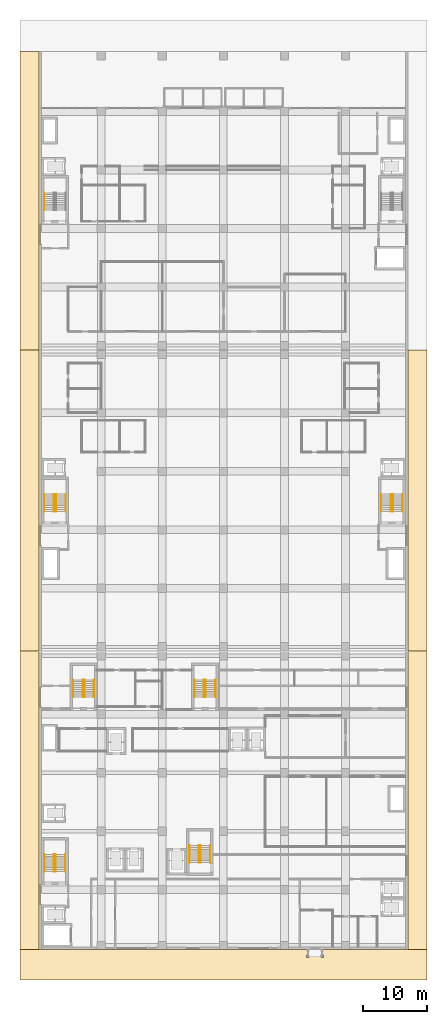
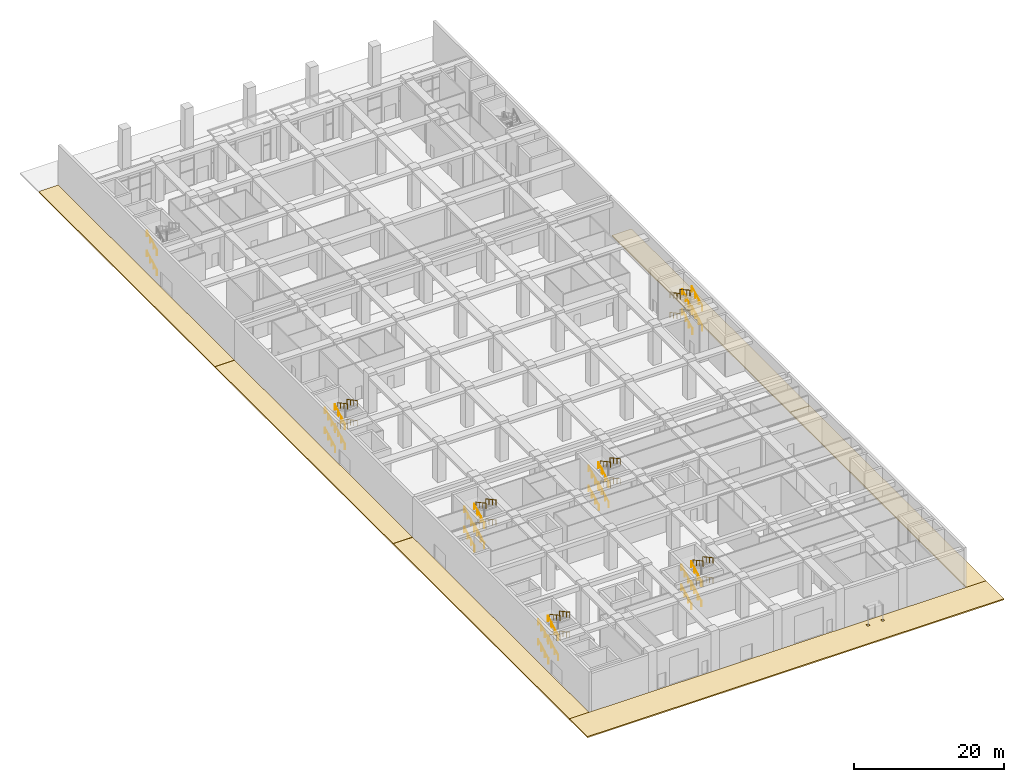
# One storey, part 30 of 45: 50 railings, 6 coverings.
"""IFC4 building model written with IfcOpenShell, lengths in metres."""

from ifc_helpers import new_model, si_unit, direction, frame, origin, origin_2d, place, context, subcontext, project, spatial, polyline, circle, outline, extrude, material, layer, layer_set, type_object, element, save


model = new_model("IFC4")

# Units and contexts
model_context = context("Model", 3, precision=1e-05, world=origin(), true_north=direction((0.0, 1.0)))
body_context = subcontext(model_context, "Body", "Model", "MODEL_VIEW")
ifc_project = project(units=[si_unit("LENGTHUNIT", "METRE"), si_unit("AREAUNIT", "SQUARE_METRE"), si_unit("VOLUMEUNIT", "CUBIC_METRE"), si_unit("PLANEANGLEUNIT", "RADIAN"), si_unit("MASSUNIT", "GRAM", prefix="KILO")], contexts=[model_context])

# Site, building, storey
site_placement = place(None, origin())
site = spatial("IfcSite", under=ifc_project, at=site_placement, CompositionType="ELEMENT")
building_placement = place(site_placement, origin())
building = spatial("IfcBuilding", under=site, at=building_placement, Name="Nzadi Deep Aquarium and Research Tower", CompositionType="ELEMENT")
storey_placement = place(building_placement, origin())
storey = spatial("IfcBuildingStorey", under=building, at=storey_placement, Name="G", CompositionType="ELEMENT", Elevation=0.0)

# Railings
ifc_material_1 = material(Name="Stainless steel 1.4301", Category="steel")
railing_type = type_object("IfcRailingType", Name="HANDRAIL 900", PredefinedType="HANDRAIL", material=ifc_material_1)
for number, where, name in (
    (1, (0.659912109375, 12.070068359375, 0.16259765625), "HR-ST-Z1-SW-G-F1"),
    (2, (2.1650390625, 12.070068359375, 0.16259765625), "HR-ST-Z1-SW-G-F1W"),
):
    element("IfcRailing", number, at=place(storey_placement, frame(where)), inside=storey, type_object=railing_type, Name=name, PredefinedType="HANDRAIL", context=body_context, shape_type="SweptSolid", body=[
        extrude(circle(Radius=0.02392578125, at=origin_2d()), frame((0.0, 0.0, 0.8759765625), z_axis=(0.0, 0.87930167832, 0.476265218658), x_axis=(-1.0, 0.0, 0.0)), (0.0, 0.0, 1.0), 3.070556640625),
        extrude(circle(Radius=0.02099609375, at=origin_2d()), origin(), (0.0, 0.0, 1.0), 0.851806640625),
        extrude(circle(Radius=0.02099609375, at=origin_2d()), frame((0.0, 0.89990234375, 0.487548828125)), (0.0, 0.0, 1.0), 0.851806640625),
        extrude(circle(Radius=0.02099609375, at=origin_2d()), frame((0.0, 1.800048828125, 0.974853515625)), (0.0, 0.0, 1.0), 0.851806640625),
        extrude(circle(Radius=0.02099609375, at=origin_2d()), frame((0.0, 2.699951171875, 1.46240234375)), (0.0, 0.0, 1.0), 0.851806640625),
    ])
for number, where, name in (
    (3, (3.93994140625, 14.77001953125, 1.78759765625), "HR-ST-Z1-SW-G-F2"),
    (4, (2.43505859375, 14.77001953125, 1.78759765625), "HR-ST-Z1-SW-G-F2W"),
):
    element("IfcRailing", number, at=place(storey_placement, frame(where)), inside=storey, type_object=railing_type, Name=name, PredefinedType="HANDRAIL", context=body_context, shape_type="SweptSolid", body=[
        extrude(circle(Radius=0.02392578125, at=origin_2d()), frame((0.0, 0.0, 0.8759765625), z_axis=(0.0, -0.87930167832, 0.476265218658), x_axis=(1.0, 0.0, 0.0)), (0.0, 0.0, 1.0), 3.070556640625),
        extrude(circle(Radius=0.02099609375, at=origin_2d()), origin(), (0.0, 0.0, 1.0), 0.851806640625),
        extrude(circle(Radius=0.02099609375, at=origin_2d()), frame((0.0, -0.89990234375, 0.487548828125)), (0.0, 0.0, 1.0), 0.851806640625),
        extrude(circle(Radius=0.02099609375, at=origin_2d()), frame((0.0, -1.800048828125, 0.974853515625)), (0.0, 0.0, 1.0), 0.851806640625),
        extrude(circle(Radius=0.02099609375, at=origin_2d()), frame((0.0, -2.699951171875, 1.46240234375)), (0.0, 0.0, 1.0), 0.851806640625),
    ])
for number, where, name in (
    (5, (0.659912109375, 12.070068359375, 3.41259765625), "HR-ST-Z1-SW-G-F3"),
    (6, (2.1650390625, 12.070068359375, 3.41259765625), "HR-ST-Z1-SW-G-F3W"),
):
    element("IfcRailing", number, at=place(storey_placement, frame(where)), inside=storey, type_object=railing_type, Name=name, PredefinedType="HANDRAIL", context=body_context, shape_type="SweptSolid", body=[
        extrude(circle(Radius=0.02392578125, at=origin_2d()), frame((0.0, 0.0, 0.8759765625), z_axis=(0.0, 0.87930167832, 0.476265218658), x_axis=(-1.0, 0.0, 0.0)), (0.0, 0.0, 1.0), 3.070556640625),
        extrude(circle(Radius=0.02099609375, at=origin_2d()), origin(), (0.0, 0.0, 1.0), 0.851806640625),
        extrude(circle(Radius=0.02099609375, at=origin_2d()), frame((0.0, 0.89990234375, 0.487548828125)), (0.0, 0.0, 1.0), 0.851806640625),
        extrude(circle(Radius=0.02099609375, at=origin_2d()), frame((0.0, 1.800048828125, 0.974853515625)), (0.0, 0.0, 1.0), 0.851806640625),
        extrude(circle(Radius=0.02099609375, at=origin_2d()), frame((0.0, 2.699951171875, 1.46240234375)), (0.0, 0.0, 1.0), 0.851806640625),
    ])
for number, where, name in (
    (7, (3.93994140625, 14.77001953125, 5.03759765625), "HR-ST-Z1-SW-G-F4"),
    (8, (2.43505859375, 14.77001953125, 5.03759765625), "HR-ST-Z1-SW-G-F4W"),
):
    element("IfcRailing", number, at=place(storey_placement, frame(where)), inside=storey, type_object=railing_type, Name=name, PredefinedType="HANDRAIL", context=body_context, shape_type="SweptSolid", body=[
        extrude(circle(Radius=0.02392578125, at=origin_2d()), frame((0.0, 0.0, 0.8759765625), z_axis=(0.0, -0.87930167832, 0.476265218658), x_axis=(1.0, 0.0, 0.0)), (0.0, 0.0, 1.0), 3.070556640625),
        extrude(circle(Radius=0.02099609375, at=origin_2d()), origin(), (0.0, 0.0, 1.0), 0.851806640625),
        extrude(circle(Radius=0.02099609375, at=origin_2d()), frame((0.0, -0.89990234375, 0.487548828125)), (0.0, 0.0, 1.0), 0.851806640625),
        extrude(circle(Radius=0.02099609375, at=origin_2d()), frame((0.0, -1.800048828125, 0.974853515625)), (0.0, 0.0, 1.0), 0.851806640625),
        extrude(circle(Radius=0.02099609375, at=origin_2d()), frame((0.0, -2.699951171875, 1.46240234375)), (0.0, 0.0, 1.0), 0.851806640625),
    ])
for number, where, name in (
    (9, (23.4599609375, 13.469970703125, 0.16259765625), "HR-ST-Z1-SE-G-F1"),
    (10, (24.965087890625, 13.469970703125, 0.16259765625), "HR-ST-Z1-SE-G-F1W"),
):
    element("IfcRailing", number, at=place(storey_placement, frame(where)), inside=storey, type_object=railing_type, Name=name, PredefinedType="HANDRAIL", context=body_context, shape_type="SweptSolid", body=[
        extrude(circle(Radius=0.02392578125, at=origin_2d()), frame((0.0, 0.0, 0.8759765625), z_axis=(0.0, 0.87930167832, 0.476265218658), x_axis=(-1.0, 0.0, 0.0)), (0.0, 0.0, 1.0), 3.070556640625),
        extrude(circle(Radius=0.02099609375, at=origin_2d()), origin(), (0.0, 0.0, 1.0), 0.851806640625),
        extrude(circle(Radius=0.02099609375, at=origin_2d()), frame((0.0, 0.89990234375, 0.487548828125)), (0.0, 0.0, 1.0), 0.851806640625),
        extrude(circle(Radius=0.02099609375, at=origin_2d()), frame((0.0, 1.800048828125, 0.974853515625)), (0.0, 0.0, 1.0), 0.851806640625),
        extrude(circle(Radius=0.02099609375, at=origin_2d()), frame((0.0, 2.699951171875, 1.46240234375)), (0.0, 0.0, 1.0), 0.851806640625),
    ])
for number, where, name in (
    (11, (26.739990234375, 16.169921875, 1.78759765625), "HR-ST-Z1-SE-G-F2"),
    (12, (25.235107421875, 16.169921875, 1.78759765625), "HR-ST-Z1-SE-G-F2W"),
):
    element("IfcRailing", number, at=place(storey_placement, frame(where)), inside=storey, type_object=railing_type, Name=name, PredefinedType="HANDRAIL", context=body_context, shape_type="SweptSolid", body=[
        extrude(circle(Radius=0.02392578125, at=origin_2d()), frame((0.0, 0.0, 0.8759765625), z_axis=(0.0, -0.87930167832, 0.476265218658), x_axis=(1.0, 0.0, 0.0)), (0.0, 0.0, 1.0), 3.070556640625),
        extrude(circle(Radius=0.02099609375, at=origin_2d()), origin(), (0.0, 0.0, 1.0), 0.851806640625),
        extrude(circle(Radius=0.02099609375, at=origin_2d()), frame((0.0, -0.89990234375, 0.487548828125)), (0.0, 0.0, 1.0), 0.851806640625),
        extrude(circle(Radius=0.02099609375, at=origin_2d()), frame((0.0, -1.800048828125, 0.974853515625)), (0.0, 0.0, 1.0), 0.851806640625),
        extrude(circle(Radius=0.02099609375, at=origin_2d()), frame((0.0, -2.699951171875, 1.46240234375)), (0.0, 0.0, 1.0), 0.851806640625),
    ])
for number, where, name in (
    (13, (23.4599609375, 13.469970703125, 3.41259765625), "HR-ST-Z1-SE-G-F3"),
    (14, (24.965087890625, 13.469970703125, 3.41259765625), "HR-ST-Z1-SE-G-F3W"),
):
    element("IfcRailing", number, at=place(storey_placement, frame(where)), inside=storey, type_object=railing_type, Name=name, PredefinedType="HANDRAIL", context=body_context, shape_type="SweptSolid", body=[
        extrude(circle(Radius=0.02392578125, at=origin_2d()), frame((0.0, 0.0, 0.8759765625), z_axis=(0.0, 0.87930167832, 0.476265218658), x_axis=(-1.0, 0.0, 0.0)), (0.0, 0.0, 1.0), 3.070556640625),
        extrude(circle(Radius=0.02099609375, at=origin_2d()), origin(), (0.0, 0.0, 1.0), 0.851806640625),
        extrude(circle(Radius=0.02099609375, at=origin_2d()), frame((0.0, 0.89990234375, 0.487548828125)), (0.0, 0.0, 1.0), 0.851806640625),
        extrude(circle(Radius=0.02099609375, at=origin_2d()), frame((0.0, 1.800048828125, 0.974853515625)), (0.0, 0.0, 1.0), 0.851806640625),
        extrude(circle(Radius=0.02099609375, at=origin_2d()), frame((0.0, 2.699951171875, 1.46240234375)), (0.0, 0.0, 1.0), 0.851806640625),
    ])
for number, where, name in (
    (15, (26.739990234375, 16.169921875, 5.03759765625), "HR-ST-Z1-SE-G-F4"),
    (16, (25.235107421875, 16.169921875, 5.03759765625), "HR-ST-Z1-SE-G-F4W"),
):
    element("IfcRailing", number, at=place(storey_placement, frame(where)), inside=storey, type_object=railing_type, Name=name, PredefinedType="HANDRAIL", context=body_context, shape_type="SweptSolid", body=[
        extrude(circle(Radius=0.02392578125, at=origin_2d()), frame((0.0, 0.0, 0.8759765625), z_axis=(0.0, -0.87930167832, 0.476265218658), x_axis=(1.0, 0.0, 0.0)), (0.0, 0.0, 1.0), 3.070556640625),
        extrude(circle(Radius=0.02099609375, at=origin_2d()), origin(), (0.0, 0.0, 1.0), 0.851806640625),
        extrude(circle(Radius=0.02099609375, at=origin_2d()), frame((0.0, -0.89990234375, 0.487548828125)), (0.0, 0.0, 1.0), 0.851806640625),
        extrude(circle(Radius=0.02099609375, at=origin_2d()), frame((0.0, -1.800048828125, 0.974853515625)), (0.0, 0.0, 1.0), 0.851806640625),
        extrude(circle(Radius=0.02099609375, at=origin_2d()), frame((0.0, -2.699951171875, 1.46240234375)), (0.0, 0.0, 1.0), 0.851806640625),
    ])
for number, where, name in (
    (17, (5.159912109375, 39.52001953125, 0.16259765625), "HR-ST-Z1-NW-G-F1"),
    (18, (6.6650390625, 39.52001953125, 0.16259765625), "HR-ST-Z1-NW-G-F1W"),
):
    element("IfcRailing", number, at=place(storey_placement, frame(where)), inside=storey, type_object=railing_type, Name=name, PredefinedType="HANDRAIL", context=body_context, shape_type="SweptSolid", body=[
        extrude(circle(Radius=0.02392578125, at=origin_2d()), frame((0.0, 0.0, 0.8759765625), z_axis=(0.0, 0.87930167832, 0.476265218658), x_axis=(-1.0, 0.0, 0.0)), (0.0, 0.0, 1.0), 3.070556640625),
        extrude(circle(Radius=0.02099609375, at=origin_2d()), origin(), (0.0, 0.0, 1.0), 0.851806640625),
        extrude(circle(Radius=0.02099609375, at=origin_2d()), frame((0.0, 0.89990234375, 0.487548828125)), (0.0, 0.0, 1.0), 0.851806640625),
        extrude(circle(Radius=0.02099609375, at=origin_2d()), frame((0.0, 1.800048828125, 0.974853515625)), (0.0, 0.0, 1.0), 0.851806640625),
        extrude(circle(Radius=0.02099609375, at=origin_2d()), frame((0.0, 2.699951171875, 1.46240234375)), (0.0, 0.0, 1.0), 0.851806640625),
    ])
for number, where, name in (
    (19, (8.43994140625, 42.219970703125, 1.78759765625), "HR-ST-Z1-NW-G-F2"),
    (20, (6.93505859375, 42.219970703125, 1.78759765625), "HR-ST-Z1-NW-G-F2W"),
):
    element("IfcRailing", number, at=place(storey_placement, frame(where)), inside=storey, type_object=railing_type, Name=name, PredefinedType="HANDRAIL", context=body_context, shape_type="SweptSolid", body=[
        extrude(circle(Radius=0.02392578125, at=origin_2d()), frame((0.0, 0.0, 0.8759765625), z_axis=(0.0, -0.87930167832, 0.476265218658), x_axis=(1.0, 0.0, 0.0)), (0.0, 0.0, 1.0), 3.070556640625),
        extrude(circle(Radius=0.02099609375, at=origin_2d()), origin(), (0.0, 0.0, 1.0), 0.851806640625),
        extrude(circle(Radius=0.02099609375, at=origin_2d()), frame((0.0, -0.89990234375, 0.487548828125)), (0.0, 0.0, 1.0), 0.851806640625),
        extrude(circle(Radius=0.02099609375, at=origin_2d()), frame((0.0, -1.800048828125, 0.974853515625)), (0.0, 0.0, 1.0), 0.851806640625),
        extrude(circle(Radius=0.02099609375, at=origin_2d()), frame((0.0, -2.699951171875, 1.46240234375)), (0.0, 0.0, 1.0), 0.851806640625),
    ])
for number, where, name in (
    (21, (5.159912109375, 39.52001953125, 3.41259765625), "HR-ST-Z1-NW-G-F3"),
    (22, (6.6650390625, 39.52001953125, 3.41259765625), "HR-ST-Z1-NW-G-F3W"),
):
    element("IfcRailing", number, at=place(storey_placement, frame(where)), inside=storey, type_object=railing_type, Name=name, PredefinedType="HANDRAIL", context=body_context, shape_type="SweptSolid", body=[
        extrude(circle(Radius=0.02392578125, at=origin_2d()), frame((0.0, 0.0, 0.8759765625), z_axis=(0.0, 0.87930167832, 0.476265218658), x_axis=(-1.0, 0.0, 0.0)), (0.0, 0.0, 1.0), 3.070556640625),
        extrude(circle(Radius=0.02099609375, at=origin_2d()), origin(), (0.0, 0.0, 1.0), 0.851806640625),
        extrude(circle(Radius=0.02099609375, at=origin_2d()), frame((0.0, 0.89990234375, 0.487548828125)), (0.0, 0.0, 1.0), 0.851806640625),
        extrude(circle(Radius=0.02099609375, at=origin_2d()), frame((0.0, 1.800048828125, 0.974853515625)), (0.0, 0.0, 1.0), 0.851806640625),
        extrude(circle(Radius=0.02099609375, at=origin_2d()), frame((0.0, 2.699951171875, 1.46240234375)), (0.0, 0.0, 1.0), 0.851806640625),
    ])
for number, where, name in (
    (23, (8.43994140625, 42.219970703125, 5.03759765625), "HR-ST-Z1-NW-G-F4"),
    (24, (6.93505859375, 42.219970703125, 5.03759765625), "HR-ST-Z1-NW-G-F4W"),
):
    element("IfcRailing", number, at=place(storey_placement, frame(where)), inside=storey, type_object=railing_type, Name=name, PredefinedType="HANDRAIL", context=body_context, shape_type="SweptSolid", body=[
        extrude(circle(Radius=0.02392578125, at=origin_2d()), frame((0.0, 0.0, 0.8759765625), z_axis=(0.0, -0.87930167832, 0.476265218658), x_axis=(1.0, 0.0, 0.0)), (0.0, 0.0, 1.0), 3.070556640625),
        extrude(circle(Radius=0.02099609375, at=origin_2d()), origin(), (0.0, 0.0, 1.0), 0.851806640625),
        extrude(circle(Radius=0.02099609375, at=origin_2d()), frame((0.0, -0.89990234375, 0.487548828125)), (0.0, 0.0, 1.0), 0.851806640625),
        extrude(circle(Radius=0.02099609375, at=origin_2d()), frame((0.0, -1.800048828125, 0.974853515625)), (0.0, 0.0, 1.0), 0.851806640625),
        extrude(circle(Radius=0.02099609375, at=origin_2d()), frame((0.0, -2.699951171875, 1.46240234375)), (0.0, 0.0, 1.0), 0.851806640625),
    ])
for number, where, name in (
    (25, (24.260009765625, 39.52001953125, 0.16259765625), "HR-ST-Z1-NE-G-F1"),
    (26, (25.764892578125, 39.52001953125, 0.16259765625), "HR-ST-Z1-NE-G-F1W"),
):
    element("IfcRailing", number, at=place(storey_placement, frame(where)), inside=storey, type_object=railing_type, Name=name, PredefinedType="HANDRAIL", context=body_context, shape_type="SweptSolid", body=[
        extrude(circle(Radius=0.02392578125, at=origin_2d()), frame((0.0, 0.0, 0.8759765625), z_axis=(0.0, 0.87930167832, 0.476265218658), x_axis=(-1.0, 0.0, 0.0)), (0.0, 0.0, 1.0), 3.070556640625),
        extrude(circle(Radius=0.02099609375, at=origin_2d()), origin(), (0.0, 0.0, 1.0), 0.851806640625),
        extrude(circle(Radius=0.02099609375, at=origin_2d()), frame((0.0, 0.89990234375, 0.487548828125)), (0.0, 0.0, 1.0), 0.851806640625),
        extrude(circle(Radius=0.02099609375, at=origin_2d()), frame((0.0, 1.800048828125, 0.974853515625)), (0.0, 0.0, 1.0), 0.851806640625),
        extrude(circle(Radius=0.02099609375, at=origin_2d()), frame((0.0, 2.699951171875, 1.46240234375)), (0.0, 0.0, 1.0), 0.851806640625),
    ])
for number, where, name in (
    (27, (27.5400390625, 42.219970703125, 1.78759765625), "HR-ST-Z1-NE-G-F2"),
    (28, (26.034912109375, 42.219970703125, 1.78759765625), "HR-ST-Z1-NE-G-F2W"),
):
    element("IfcRailing", number, at=place(storey_placement, frame(where)), inside=storey, type_object=railing_type, Name=name, PredefinedType="HANDRAIL", context=body_context, shape_type="SweptSolid", body=[
        extrude(circle(Radius=0.02392578125, at=origin_2d()), frame((0.0, 0.0, 0.8759765625), z_axis=(0.0, -0.87930167832, 0.476265218658), x_axis=(1.0, 0.0, 0.0)), (0.0, 0.0, 1.0), 3.070556640625),
        extrude(circle(Radius=0.02099609375, at=origin_2d()), origin(), (0.0, 0.0, 1.0), 0.851806640625),
        extrude(circle(Radius=0.02099609375, at=origin_2d()), frame((0.0, -0.89990234375, 0.487548828125)), (0.0, 0.0, 1.0), 0.851806640625),
        extrude(circle(Radius=0.02099609375, at=origin_2d()), frame((0.0, -1.800048828125, 0.974853515625)), (0.0, 0.0, 1.0), 0.851806640625),
        extrude(circle(Radius=0.02099609375, at=origin_2d()), frame((0.0, -2.699951171875, 1.46240234375)), (0.0, 0.0, 1.0), 0.851806640625),
    ])
for number, where, name in (
    (29, (24.260009765625, 39.52001953125, 3.41259765625), "HR-ST-Z1-NE-G-F3"),
    (30, (25.764892578125, 39.52001953125, 3.41259765625), "HR-ST-Z1-NE-G-F3W"),
):
    element("IfcRailing", number, at=place(storey_placement, frame(where)), inside=storey, type_object=railing_type, Name=name, PredefinedType="HANDRAIL", context=body_context, shape_type="SweptSolid", body=[
        extrude(circle(Radius=0.02392578125, at=origin_2d()), frame((0.0, 0.0, 0.8759765625), z_axis=(0.0, 0.87930167832, 0.476265218658), x_axis=(-1.0, 0.0, 0.0)), (0.0, 0.0, 1.0), 3.070556640625),
        extrude(circle(Radius=0.02099609375, at=origin_2d()), origin(), (0.0, 0.0, 1.0), 0.851806640625),
        extrude(circle(Radius=0.02099609375, at=origin_2d()), frame((0.0, 0.89990234375, 0.487548828125)), (0.0, 0.0, 1.0), 0.851806640625),
        extrude(circle(Radius=0.02099609375, at=origin_2d()), frame((0.0, 1.800048828125, 0.974853515625)), (0.0, 0.0, 1.0), 0.851806640625),
        extrude(circle(Radius=0.02099609375, at=origin_2d()), frame((0.0, 2.699951171875, 1.46240234375)), (0.0, 0.0, 1.0), 0.851806640625),
    ])
for number, where, name in (
    (31, (27.5400390625, 42.219970703125, 5.03759765625), "HR-ST-Z1-NE-G-F4"),
    (32, (26.034912109375, 42.219970703125, 5.03759765625), "HR-ST-Z1-NE-G-F4W"),
):
    element("IfcRailing", number, at=place(storey_placement, frame(where)), inside=storey, type_object=railing_type, Name=name, PredefinedType="HANDRAIL", context=body_context, shape_type="SweptSolid", body=[
        extrude(circle(Radius=0.02392578125, at=origin_2d()), frame((0.0, 0.0, 0.8759765625), z_axis=(0.0, -0.87930167832, 0.476265218658), x_axis=(1.0, 0.0, 0.0)), (0.0, 0.0, 1.0), 3.070556640625),
        extrude(circle(Radius=0.02099609375, at=origin_2d()), origin(), (0.0, 0.0, 1.0), 0.851806640625),
        extrude(circle(Radius=0.02099609375, at=origin_2d()), frame((0.0, -0.89990234375, 0.487548828125)), (0.0, 0.0, 1.0), 0.851806640625),
        extrude(circle(Radius=0.02099609375, at=origin_2d()), frame((0.0, -1.800048828125, 0.974853515625)), (0.0, 0.0, 1.0), 0.851806640625),
        extrude(circle(Radius=0.02099609375, at=origin_2d()), frame((0.0, -2.699951171875, 1.46240234375)), (0.0, 0.0, 1.0), 0.851806640625),
    ])
for number, where, name in (
    (33, (0.610107421875, 68.7099609375, 0.16259765625), "HR-ST-Z2-W-G-F1"),
    (34, (2.114990234375, 68.7099609375, 0.16259765625), "HR-ST-Z2-W-G-F1W"),
):
    element("IfcRailing", number, at=place(storey_placement, frame(where)), inside=storey, type_object=railing_type, Name=name, PredefinedType="HANDRAIL", context=body_context, shape_type="SweptSolid", body=[
        extrude(circle(Radius=0.02392578125, at=origin_2d()), frame((0.0, 0.0, 0.8759765625), z_axis=(0.0, 0.87930167832, 0.476265218658), x_axis=(-1.0, 0.0, 0.0)), (0.0, 0.0, 1.0), 3.070556640625),
        extrude(circle(Radius=0.02099609375, at=origin_2d()), origin(), (0.0, 0.0, 1.0), 0.851806640625),
        extrude(circle(Radius=0.02099609375, at=origin_2d()), frame((0.0, 0.89990234375, 0.487548828125)), (0.0, 0.0, 1.0), 0.851806640625),
        extrude(circle(Radius=0.02099609375, at=origin_2d()), frame((0.0, 1.800048828125, 0.974853515625)), (0.0, 0.0, 1.0), 0.851806640625),
        extrude(circle(Radius=0.02099609375, at=origin_2d()), frame((0.0, 2.699951171875, 1.46240234375)), (0.0, 0.0, 1.0), 0.851806640625),
    ])
for number, where, name in (
    (35, (3.989990234375, 71.409912109375, 1.78759765625), "HR-ST-Z2-W-G-F2"),
    (36, (2.485107421875, 71.409912109375, 1.78759765625), "HR-ST-Z2-W-G-F2W"),
):
    element("IfcRailing", number, at=place(storey_placement, frame(where)), inside=storey, type_object=railing_type, Name=name, PredefinedType="HANDRAIL", context=body_context, shape_type="SweptSolid", body=[
        extrude(circle(Radius=0.02392578125, at=origin_2d()), frame((0.0, 0.0, 0.8759765625), z_axis=(0.0, -0.87930167832, 0.476265218658), x_axis=(1.0, 0.0, 0.0)), (0.0, 0.0, 1.0), 3.070556640625),
        extrude(circle(Radius=0.02099609375, at=origin_2d()), origin(), (0.0, 0.0, 1.0), 0.851806640625),
        extrude(circle(Radius=0.02099609375, at=origin_2d()), frame((0.0, -0.89990234375, 0.487548828125)), (0.0, 0.0, 1.0), 0.851806640625),
        extrude(circle(Radius=0.02099609375, at=origin_2d()), frame((0.0, -1.800048828125, 0.974853515625)), (0.0, 0.0, 1.0), 0.851806640625),
        extrude(circle(Radius=0.02099609375, at=origin_2d()), frame((0.0, -2.699951171875, 1.46240234375)), (0.0, 0.0, 1.0), 0.851806640625),
    ])
for number, where, name in (
    (37, (0.610107421875, 68.7099609375, 3.41259765625), "HR-ST-Z2-W-G-F3"),
    (38, (2.114990234375, 68.7099609375, 3.41259765625), "HR-ST-Z2-W-G-F3W"),
):
    element("IfcRailing", number, at=place(storey_placement, frame(where)), inside=storey, type_object=railing_type, Name=name, PredefinedType="HANDRAIL", context=body_context, shape_type="SweptSolid", body=[
        extrude(circle(Radius=0.02392578125, at=origin_2d()), frame((0.0, 0.0, 0.8759765625), z_axis=(0.0, 0.87930167832, 0.476265218658), x_axis=(-1.0, 0.0, 0.0)), (0.0, 0.0, 1.0), 3.070556640625),
        extrude(circle(Radius=0.02099609375, at=origin_2d()), origin(), (0.0, 0.0, 1.0), 0.851806640625),
        extrude(circle(Radius=0.02099609375, at=origin_2d()), frame((0.0, 0.89990234375, 0.487548828125)), (0.0, 0.0, 1.0), 0.851806640625),
        extrude(circle(Radius=0.02099609375, at=origin_2d()), frame((0.0, 1.800048828125, 0.974853515625)), (0.0, 0.0, 1.0), 0.851806640625),
        extrude(circle(Radius=0.02099609375, at=origin_2d()), frame((0.0, 2.699951171875, 1.46240234375)), (0.0, 0.0, 1.0), 0.851806640625),
    ])
for number, where, name in (
    (39, (3.989990234375, 71.409912109375, 5.03759765625), "HR-ST-Z2-W-G-F4"),
    (40, (2.485107421875, 71.409912109375, 5.03759765625), "HR-ST-Z2-W-G-F4W"),
):
    element("IfcRailing", number, at=place(storey_placement, frame(where)), inside=storey, type_object=railing_type, Name=name, PredefinedType="HANDRAIL", context=body_context, shape_type="SweptSolid", body=[
        extrude(circle(Radius=0.02392578125, at=origin_2d()), frame((0.0, 0.0, 0.8759765625), z_axis=(0.0, -0.87930167832, 0.476265218658), x_axis=(1.0, 0.0, 0.0)), (0.0, 0.0, 1.0), 3.070556640625),
        extrude(circle(Radius=0.02099609375, at=origin_2d()), origin(), (0.0, 0.0, 1.0), 0.851806640625),
        extrude(circle(Radius=0.02099609375, at=origin_2d()), frame((0.0, -0.89990234375, 0.487548828125)), (0.0, 0.0, 1.0), 0.851806640625),
        extrude(circle(Radius=0.02099609375, at=origin_2d()), frame((0.0, -1.800048828125, 0.974853515625)), (0.0, 0.0, 1.0), 0.851806640625),
        extrude(circle(Radius=0.02099609375, at=origin_2d()), frame((0.0, -2.699951171875, 1.46240234375)), (0.0, 0.0, 1.0), 0.851806640625),
    ])
for number, where, name in (
    (41, (56.989990234375, 68.7099609375, 0.16259765625), "HR-ST-Z2-E-G-F1"),
    (42, (55.485107421875, 68.7099609375, 0.16259765625), "HR-ST-Z2-E-G-F1W"),
):
    element("IfcRailing", number, at=place(storey_placement, frame(where)), inside=storey, type_object=railing_type, Name=name, PredefinedType="HANDRAIL", context=body_context, shape_type="SweptSolid", body=[
        extrude(circle(Radius=0.02392578125, at=origin_2d()), frame((0.0, 0.0, 0.8759765625), z_axis=(0.0, 0.87930167832, 0.476265218658), x_axis=(-1.0, 0.0, 0.0)), (0.0, 0.0, 1.0), 3.070556640625),
        extrude(circle(Radius=0.02099609375, at=origin_2d()), origin(), (0.0, 0.0, 1.0), 0.851806640625),
        extrude(circle(Radius=0.02099609375, at=origin_2d()), frame((0.0, 0.89990234375, 0.487548828125)), (0.0, 0.0, 1.0), 0.851806640625),
        extrude(circle(Radius=0.02099609375, at=origin_2d()), frame((0.0, 1.800048828125, 0.974853515625)), (0.0, 0.0, 1.0), 0.851806640625),
        extrude(circle(Radius=0.02099609375, at=origin_2d()), frame((0.0, 2.699951171875, 1.46240234375)), (0.0, 0.0, 1.0), 0.851806640625),
    ])
for number, where, name in (
    (43, (53.610107421875, 71.409912109375, 1.78759765625), "HR-ST-Z2-E-G-F2"),
    (44, (55.114990234375, 71.409912109375, 1.78759765625), "HR-ST-Z2-E-G-F2W"),
):
    element("IfcRailing", number, at=place(storey_placement, frame(where)), inside=storey, type_object=railing_type, Name=name, PredefinedType="HANDRAIL", context=body_context, shape_type="SweptSolid", body=[
        extrude(circle(Radius=0.02392578125, at=origin_2d()), frame((0.0, 0.0, 0.8759765625), z_axis=(0.0, -0.87930167832, 0.476265218658), x_axis=(1.0, 0.0, 0.0)), (0.0, 0.0, 1.0), 3.070556640625),
        extrude(circle(Radius=0.02099609375, at=origin_2d()), origin(), (0.0, 0.0, 1.0), 0.851806640625),
        extrude(circle(Radius=0.02099609375, at=origin_2d()), frame((0.0, -0.89990234375, 0.487548828125)), (0.0, 0.0, 1.0), 0.851806640625),
        extrude(circle(Radius=0.02099609375, at=origin_2d()), frame((0.0, -1.800048828125, 0.974853515625)), (0.0, 0.0, 1.0), 0.851806640625),
        extrude(circle(Radius=0.02099609375, at=origin_2d()), frame((0.0, -2.699951171875, 1.46240234375)), (0.0, 0.0, 1.0), 0.851806640625),
    ])
for number, where, name in (
    (45, (56.989990234375, 68.7099609375, 3.41259765625), "HR-ST-Z2-E-G-F3"),
    (46, (55.485107421875, 68.7099609375, 3.41259765625), "HR-ST-Z2-E-G-F3W"),
):
    element("IfcRailing", number, at=place(storey_placement, frame(where)), inside=storey, type_object=railing_type, Name=name, PredefinedType="HANDRAIL", context=body_context, shape_type="SweptSolid", body=[
        extrude(circle(Radius=0.02392578125, at=origin_2d()), frame((0.0, 0.0, 0.8759765625), z_axis=(0.0, 0.87930167832, 0.476265218658), x_axis=(-1.0, 0.0, 0.0)), (0.0, 0.0, 1.0), 3.070556640625),
        extrude(circle(Radius=0.02099609375, at=origin_2d()), origin(), (0.0, 0.0, 1.0), 0.851806640625),
        extrude(circle(Radius=0.02099609375, at=origin_2d()), frame((0.0, 0.89990234375, 0.487548828125)), (0.0, 0.0, 1.0), 0.851806640625),
        extrude(circle(Radius=0.02099609375, at=origin_2d()), frame((0.0, 1.800048828125, 0.974853515625)), (0.0, 0.0, 1.0), 0.851806640625),
        extrude(circle(Radius=0.02099609375, at=origin_2d()), frame((0.0, 2.699951171875, 1.46240234375)), (0.0, 0.0, 1.0), 0.851806640625),
    ])
for number, where, name in (
    (47, (53.610107421875, 71.409912109375, 5.03759765625), "HR-ST-Z2-E-G-F4"),
    (48, (55.114990234375, 71.409912109375, 5.03759765625), "HR-ST-Z2-E-G-F4W"),
):
    element("IfcRailing", number, at=place(storey_placement, frame(where)), inside=storey, type_object=railing_type, Name=name, PredefinedType="HANDRAIL", context=body_context, shape_type="SweptSolid", body=[
        extrude(circle(Radius=0.02392578125, at=origin_2d()), frame((0.0, 0.0, 0.8759765625), z_axis=(0.0, -0.87930167832, 0.476265218658), x_axis=(1.0, 0.0, 0.0)), (0.0, 0.0, 1.0), 3.070556640625),
        extrude(circle(Radius=0.02099609375, at=origin_2d()), origin(), (0.0, 0.0, 1.0), 0.851806640625),
        extrude(circle(Radius=0.02099609375, at=origin_2d()), frame((0.0, -0.89990234375, 0.487548828125)), (0.0, 0.0, 1.0), 0.851806640625),
        extrude(circle(Radius=0.02099609375, at=origin_2d()), frame((0.0, -1.800048828125, 0.974853515625)), (0.0, 0.0, 1.0), 0.851806640625),
        extrude(circle(Radius=0.02099609375, at=origin_2d()), frame((0.0, -2.699951171875, 1.46240234375)), (0.0, 0.0, 1.0), 0.851806640625),
    ])
for number, where, name in (
    (49, (0.610107421875, 116.110107421875, 0.16259765625), "HR-ST-Z3-W-G-F1"),
    (50, (0.610107421875, 116.110107421875, 3.41259765625), "HR-ST-Z3-W-G-F3"),
):
    element("IfcRailing", number, at=place(storey_placement, frame(where)), inside=storey, type_object=railing_type, Name=name, PredefinedType="HANDRAIL", context=body_context, shape_type="SweptSolid", body=[
        extrude(circle(Radius=0.02392578125, at=origin_2d()), frame((0.0, 0.0, 0.8759765625), z_axis=(0.0, 0.87930167832, 0.476265218658), x_axis=(-1.0, 0.0, 0.0)), (0.0, 0.0, 1.0), 3.070556640625),
        extrude(circle(Radius=0.02099609375, at=origin_2d()), origin(), (0.0, 0.0, 1.0), 0.851806640625),
        extrude(circle(Radius=0.02099609375, at=origin_2d()), frame((0.0, 0.89990234375, 0.487548828125)), (0.0, 0.0, 1.0), 0.851806640625),
        extrude(circle(Radius=0.02099609375, at=origin_2d()), frame((0.0, 1.800048828125, 0.974853515625)), (0.0, 0.0, 1.0), 0.851806640625),
        extrude(circle(Radius=0.02099609375, at=origin_2d()), frame((0.0, 2.699951171875, 1.46240234375)), (0.0, 0.0, 1.0), 0.851806640625),
    ])

# Coverings
ifc_material_2 = material(Name="Paving")
ifc_layer = layer(ifc_material_2, 0.199951171875)
ifc_layer_set = layer_set([ifc_layer], Name="Paving")
covering_type = type_object("IfcCoveringType", Name="Paving 200", PredefinedType="USERDEFINED", material=ifc_layer_set)
covering_1_placement = place(storey_placement, frame((0.0, 0.0, -0.199951171875)))
element("IfcCovering", 51, at=covering_1_placement, inside=storey, type_object=covering_type, Name="Escape lane west Z1", ObjectType="PAVING", PredefinedType="USERDEFINED", context=body_context, shape_type="SweptSolid", body=[
    extrude(outline(polyline([(-3.18994140625, -0.199951171875), (-0.199951171875, -0.199951171875), (-0.199951171875, 46.679931640625), (-3.18994140625, 46.679931640625), (-3.18994140625, -0.199951171875)])), origin(), (0.0, 0.0, 1.0), 0.199951171875),
])
covering_2_placement = place(storey_placement, frame((0.0, 0.0, -0.199951171875)))
element("IfcCovering", 52, at=covering_2_placement, inside=storey, type_object=covering_type, Name="Escape lane east Z1", ObjectType="PAVING", PredefinedType="USERDEFINED", context=body_context, shape_type="SweptSolid", body=[
    extrude(outline(polyline([(57.800048828125, -0.199951171875), (60.7900390625, -0.199951171875), (60.7900390625, 46.679931640625), (57.800048828125, 46.679931640625), (57.800048828125, -0.199951171875)])), origin(), (0.0, 0.0, 1.0), 0.199951171875),
])
covering_3_placement = place(storey_placement, frame((0.0, 0.0, -0.199951171875)))
element("IfcCovering", 53, at=covering_3_placement, inside=storey, type_object=covering_type, Name="Escape lane west Z2", ObjectType="PAVING", PredefinedType="USERDEFINED", context=body_context, shape_type="SweptSolid", body=[
    extrude(outline(polyline([(-3.18994140625, 46.719970703125), (-0.199951171875, 46.719970703125), (-0.199951171875, 94.080078125), (-3.18994140625, 94.080078125), (-3.18994140625, 46.719970703125)])), origin(), (0.0, 0.0, 1.0), 0.199951171875),
])
covering_4_placement = place(storey_placement, frame((0.0, 0.0, -0.199951171875)))
element("IfcCovering", 54, at=covering_4_placement, inside=storey, type_object=covering_type, Name="Escape lane east Z2", ObjectType="PAVING", PredefinedType="USERDEFINED", context=body_context, shape_type="SweptSolid", body=[
    extrude(outline(polyline([(57.800048828125, 46.719970703125), (60.7900390625, 46.719970703125), (60.7900390625, 94.080078125), (57.800048828125, 94.080078125), (57.800048828125, 46.719970703125)])), origin(), (0.0, 0.0, 1.0), 0.199951171875),
])
covering_5_placement = place(storey_placement, frame((0.0, 0.0, -0.199951171875)))
element("IfcCovering", 55, at=covering_5_placement, inside=storey, type_object=covering_type, Name="Escape lane west Z3", ObjectType="PAVING", PredefinedType="USERDEFINED", context=body_context, shape_type="SweptSolid", body=[
    extrude(outline(polyline([(-3.18994140625, 94.1201171875), (-0.199951171875, 94.1201171875), (-0.199951171875, 141.0), (-3.18994140625, 141.0), (-3.18994140625, 94.1201171875)])), origin(), (0.0, 0.0, 1.0), 0.199951171875),
])
covering_6_placement = place(storey_placement, frame((0.0, 0.0, -0.199951171875)))
element("IfcCovering", 56, at=covering_6_placement, inside=storey, type_object=covering_type, Name="Service yard", ObjectType="PAVING", PredefinedType="USERDEFINED", context=body_context, shape_type="SweptSolid", body=[
    extrude(outline(polyline([(-3.18994140625, -4.989990234375), (60.7900390625, -4.989990234375), (60.7900390625, -0.199951171875), (-3.18994140625, -0.199951171875), (-3.18994140625, -4.989990234375)]), holes=[polyline([(41.875, -1.449951171875), (42.27490234375, -1.449951171875), (42.27490234375, -1.050048828125), (41.875, -1.050048828125), (41.875, -1.449951171875)]), polyline([(44.125, -1.449951171875), (44.52490234375, -1.449951171875), (44.52490234375, -1.050048828125), (44.125, -1.050048828125), (44.125, -1.449951171875)])]), origin(), (0.0, 0.0, 1.0), 0.199951171875),
])

save(model, "model.ifc")
